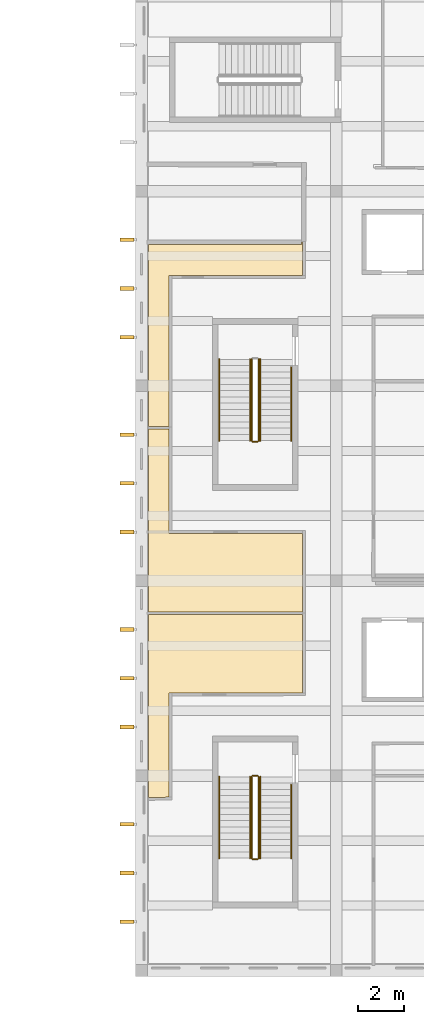
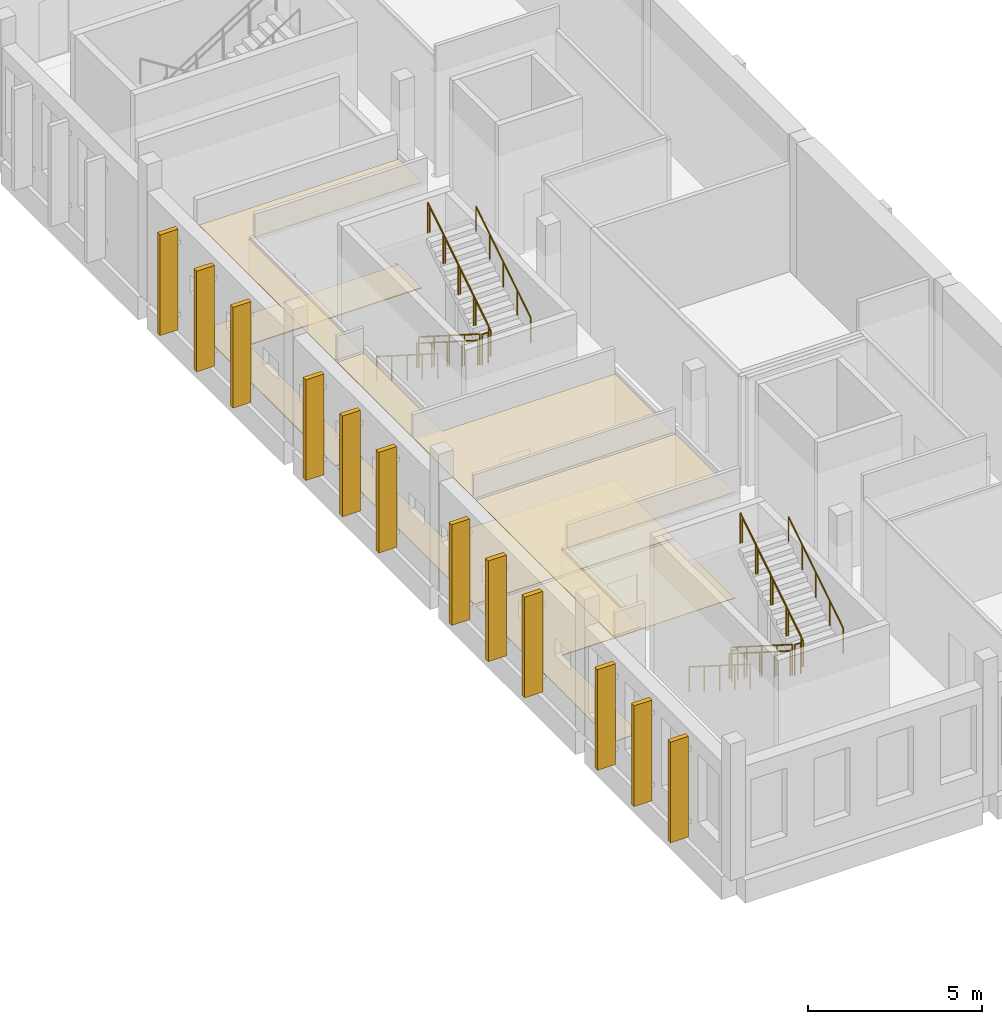
# One storey, part 24 of 37: 18 coverings, 15 railings.
"""IFC4 building model written with IfcOpenShell, lengths in metres."""

from ifc_helpers import new_model, si_unit, direction, frame, origin, origin_2d, place, context, subcontext, project, spatial, polyline, circle, outline, extrude, material, layer, layer_set, type_object, element, save


model = new_model("IFC4")

# Units and contexts
model_context = context("Model", 3, precision=1e-05, world=origin(), true_north=direction((0.0, 1.0)))
body_context = subcontext(model_context, "Body", "Model", "MODEL_VIEW")
ifc_project = project(units=[si_unit("LENGTHUNIT", "METRE"), si_unit("AREAUNIT", "SQUARE_METRE"), si_unit("VOLUMEUNIT", "CUBIC_METRE"), si_unit("PLANEANGLEUNIT", "RADIAN"), si_unit("MASSUNIT", "GRAM", prefix="KILO")], contexts=[model_context])

# Site, building, storey
site_placement = place(None, origin())
site = spatial("IfcSite", under=ifc_project, at=site_placement, CompositionType="ELEMENT")
building_placement = place(site_placement, origin())
building = spatial("IfcBuilding", under=site, at=building_placement, Name="Larchfold Concert Hall", CompositionType="ELEMENT")
storey_placement = place(building_placement, frame((0.0, 0.0, 19.199951171875)))
storey = spatial("IfcBuildingStorey", under=building, at=storey_placement, Name="L04", CompositionType="ELEMENT", Elevation=19.199951171875)

# Coverings
ifc_material_1 = material(Name="Mineral fibre ceiling tile")
ifc_layer_1 = layer(ifc_material_1, 0.02001953125)
ifc_layer_set_1 = layer_set([ifc_layer_1], Name="Mineral fibre ceiling tile")
covering_type_1 = type_object("IfcCoveringType", Name="Ceiling mineral fibre tile 20", PredefinedType="CEILING", material=ifc_layer_set_1)
covering_1_placement = place(storey_placement, frame((0.0, 0.0, 3.72021484375)))
element("IfcCovering", 1, at=covering_1_placement, inside=storey, type_object=covering_type_1, Name="Ceiling Musicians' Showers", PredefinedType="CEILING", context=body_context, shape_type="SweptSolid", body=[
    extrude(outline(polyline([(85.78857421875, 24.0), (85.78857421875, 30.5615234375), (91.60009765625, 30.5634765625), (91.534423828125, 30.5634765625), (91.535400390625, 32.0), (91.4951171875, 32.0), (91.4951171875, 31.89990234375), (84.900146484375, 31.89990234375), (84.900146484375, 24.050048828125), (85.784912109375, 24.050048828125), (85.78857421875, 24.0)])), origin(), (0.0, 0.0, 1.0), 0.02001953125),
])
ifc_material_2 = material(Name="Plasterboard ceiling lining")
ifc_layer_2 = layer(ifc_material_2, 0.030029296875)
ifc_layer_set_2 = layer_set([ifc_layer_2], Name="Plasterboard ceiling lining")
covering_type_2 = type_object("IfcCoveringType", Name="Ceiling suspended plasterboard 30", PredefinedType="CEILING", material=ifc_layer_set_2)
covering_2_placement = place(storey_placement, frame((0.0, 0.0, 3.710205078125)))
element("IfcCovering", 2, at=covering_2_placement, inside=storey, type_object=covering_type_2, Name="Ceiling Dressing Room 02", PredefinedType="CEILING", context=body_context, shape_type="SweptSolid", body=[
    extrude(outline(polyline([(85.849853515625, 8.071533203125), (85.78857421875, 8.071533203125), (85.78857421875, 12.5615234375), (91.60009765625, 12.571533203125), (91.53857421875, 12.571533203125), (91.53759765625, 16.0), (91.534912109375, 15.949951171875), (84.900146484375, 15.949951171875), (84.900146484375, 8.0625), (85.849853515625, 8.071533203125)])), origin(), (0.0, 0.0, 1.0), 0.030029296875),
])
covering_3_placement = place(storey_placement, frame((0.0, 0.0, 3.710205078125)))
element("IfcCovering", 3, at=covering_3_placement, inside=storey, type_object=covering_type_2, Name="Ceiling Dressing Room 03", PredefinedType="CEILING", context=body_context, shape_type="SweptSolid", body=[
    extrude(outline(polyline([(85.78857421875, 24.0), (85.784912109375, 23.949951171875), (84.900146484375, 23.949951171875), (84.900146484375, 16.050048828125), (91.534912109375, 16.050048828125), (91.534912109375, 16.0), (91.536376953125, 19.4345703125), (85.78857421875, 19.4384765625), (85.78857421875, 24.0)])), origin(), (0.0, 0.0, 1.0), 0.030029296875),
])
ifc_material_3 = material(Name="Ceramic tile")
ifc_layer_3 = layer(ifc_material_3, 0.030029296875)
ifc_layer_set_3 = layer_set([ifc_layer_3], Name="Ceramic tile")
covering_type_3 = type_object("IfcCoveringType", Name="Floor finish ceramic tile 30", PredefinedType="FLOORING", material=ifc_layer_set_3)
covering_4_placement = place(storey_placement, origin())
element("IfcCovering", 4, at=covering_4_placement, inside=storey, type_object=covering_type_3, Name="Floor finish Musicians' Showers", PredefinedType="FLOORING", context=body_context, shape_type="SweptSolid", body=[
    extrude(outline(polyline([(85.78857421875, 24.0), (85.78857421875, 30.5615234375), (91.60009765625, 30.5634765625), (91.534423828125, 30.5634765625), (91.535400390625, 32.0), (91.4951171875, 32.0), (91.4951171875, 31.89990234375), (84.900146484375, 31.89990234375), (84.900146484375, 24.050048828125), (85.784912109375, 24.050048828125), (85.78857421875, 24.0)])), origin(), (0.0, 0.0, 1.0), 0.030029296875),
])
ifc_material_4 = material(Name="Linoleum sheet")
ifc_layer_4 = layer(ifc_material_4, 0.02001953125)
ifc_layer_set_4 = layer_set([ifc_layer_4], Name="Linoleum sheet")
covering_type_4 = type_object("IfcCoveringType", Name="Floor finish vinyl 20", PredefinedType="FLOORING", material=ifc_layer_set_4)
covering_5_placement = place(storey_placement, origin())
element("IfcCovering", 5, at=covering_5_placement, inside=storey, type_object=covering_type_4, Name="Floor finish Dressing Room 02", PredefinedType="FLOORING", context=body_context, shape_type="SweptSolid", body=[
    extrude(outline(polyline([(85.849853515625, 8.071533203125), (85.78857421875, 8.071533203125), (85.78857421875, 12.5615234375), (91.60009765625, 12.571533203125), (91.53857421875, 12.571533203125), (91.53759765625, 16.0), (91.534912109375, 15.949951171875), (84.900146484375, 15.949951171875), (84.900146484375, 8.0625), (85.849853515625, 8.071533203125)])), origin(), (0.0, 0.0, 1.0), 0.02001953125),
])
covering_6_placement = place(storey_placement, origin())
element("IfcCovering", 6, at=covering_6_placement, inside=storey, type_object=covering_type_4, Name="Floor finish Dressing Room 03", PredefinedType="FLOORING", context=body_context, shape_type="SweptSolid", body=[
    extrude(outline(polyline([(85.78857421875, 24.0), (85.784912109375, 23.949951171875), (84.900146484375, 23.949951171875), (84.900146484375, 16.050048828125), (91.534912109375, 16.050048828125), (91.534912109375, 16.0), (91.536376953125, 19.4345703125), (85.78857421875, 19.4384765625), (85.78857421875, 24.0)])), origin(), (0.0, 0.0, 1.0), 0.02001953125),
])
ifc_material_5 = material(Name="Glulam GL30c", Category="wood")
ifc_layer_5 = layer(ifc_material_5, 0.159912109375)
ifc_layer_set_5 = layer_set([ifc_layer_5], Name="Glulam GL30c")
covering_type_5 = type_object("IfcCoveringType", Name="Glulam fin 160x600", PredefinedType="CLADDING", material=ifc_layer_set_5)
covering_7_placement = place(storey_placement, frame((0.0, 0.0, 0.199951171875)))
element("IfcCovering", 7, at=covering_7_placement, inside=storey, type_object=covering_type_5, Name="Glulam fin FN-L04-007", PredefinedType="CLADDING", context=body_context, shape_type="SweptSolid", body=[
    extrude(outline(polyline([(84.275146484375, 27.820068359375), (84.275146484375, 27.97998046875), (83.675048828125, 27.97998046875), (83.675048828125, 27.820068359375), (84.275146484375, 27.820068359375)])), origin(), (0.0, 0.0, 1.0), 3.5400390625),
])
covering_8_placement = place(storey_placement, frame((0.0, 0.0, 0.199951171875)))
element("IfcCovering", 8, at=covering_8_placement, inside=storey, type_object=covering_type_5, Name="Glulam fin FN-L04-008", PredefinedType="CLADDING", context=body_context, shape_type="SweptSolid", body=[
    extrude(outline(polyline([(84.275146484375, 29.919921875), (84.275146484375, 30.080078125), (83.675048828125, 30.080078125), (83.675048828125, 29.919921875), (84.275146484375, 29.919921875)])), origin(), (0.0, 0.0, 1.0), 3.5400390625),
])
covering_9_placement = place(storey_placement, frame((0.0, 0.0, 0.199951171875)))
element("IfcCovering", 9, at=covering_9_placement, inside=storey, type_object=covering_type_5, Name="Glulam fin FN-L04-009", PredefinedType="CLADDING", context=body_context, shape_type="SweptSolid", body=[
    extrude(outline(polyline([(84.275146484375, 32.02001953125), (84.275146484375, 32.179931640625), (83.675048828125, 32.179931640625), (83.675048828125, 32.02001953125), (84.275146484375, 32.02001953125)])), origin(), (0.0, 0.0, 1.0), 3.5400390625),
])
covering_10_placement = place(storey_placement, frame((0.0, 0.0, 0.199951171875)))
element("IfcCovering", 10, at=covering_10_placement, inside=storey, type_object=covering_type_5, Name="Glulam fin FN-L04-010", PredefinedType="CLADDING", context=body_context, shape_type="SweptSolid", body=[
    extrude(outline(polyline([(84.275146484375, 19.419921875), (84.275146484375, 19.580078125), (83.675048828125, 19.580078125), (83.675048828125, 19.419921875), (84.275146484375, 19.419921875)])), origin(), (0.0, 0.0, 1.0), 3.5400390625),
])
covering_11_placement = place(storey_placement, frame((0.0, 0.0, 0.199951171875)))
element("IfcCovering", 11, at=covering_11_placement, inside=storey, type_object=covering_type_5, Name="Glulam fin FN-L04-011", PredefinedType="CLADDING", context=body_context, shape_type="SweptSolid", body=[
    extrude(outline(polyline([(84.275146484375, 21.52001953125), (84.275146484375, 21.679931640625), (83.675048828125, 21.679931640625), (83.675048828125, 21.52001953125), (84.275146484375, 21.52001953125)])), origin(), (0.0, 0.0, 1.0), 3.5400390625),
])
covering_12_placement = place(storey_placement, frame((0.0, 0.0, 0.199951171875)))
element("IfcCovering", 12, at=covering_12_placement, inside=storey, type_object=covering_type_5, Name="Glulam fin FN-L04-012", PredefinedType="CLADDING", context=body_context, shape_type="SweptSolid", body=[
    extrude(outline(polyline([(84.275146484375, 23.6201171875), (84.275146484375, 23.780029296875), (83.675048828125, 23.780029296875), (83.675048828125, 23.6201171875), (84.275146484375, 23.6201171875)])), origin(), (0.0, 0.0, 1.0), 3.5400390625),
])
covering_13_placement = place(storey_placement, frame((0.0, 0.0, 0.199951171875)))
element("IfcCovering", 13, at=covering_13_placement, inside=storey, type_object=covering_type_5, Name="Glulam fin FN-L04-013", PredefinedType="CLADDING", context=body_context, shape_type="SweptSolid", body=[
    extrude(outline(polyline([(84.275146484375, 11.02001953125), (84.275146484375, 11.179931640625), (83.675048828125, 11.179931640625), (83.675048828125, 11.02001953125), (84.275146484375, 11.02001953125)])), origin(), (0.0, 0.0, 1.0), 3.5400390625),
])
covering_14_placement = place(storey_placement, frame((0.0, 0.0, 0.199951171875)))
element("IfcCovering", 14, at=covering_14_placement, inside=storey, type_object=covering_type_5, Name="Glulam fin FN-L04-014", PredefinedType="CLADDING", context=body_context, shape_type="SweptSolid", body=[
    extrude(outline(polyline([(84.275146484375, 13.1201171875), (84.275146484375, 13.280029296875), (83.675048828125, 13.280029296875), (83.675048828125, 13.1201171875), (84.275146484375, 13.1201171875)])), origin(), (0.0, 0.0, 1.0), 3.5400390625),
])
covering_15_placement = place(storey_placement, frame((0.0, 0.0, 0.199951171875)))
element("IfcCovering", 15, at=covering_15_placement, inside=storey, type_object=covering_type_5, Name="Glulam fin FN-L04-015", PredefinedType="CLADDING", context=body_context, shape_type="SweptSolid", body=[
    extrude(outline(polyline([(84.275146484375, 15.219970703125), (84.275146484375, 15.3798828125), (83.675048828125, 15.3798828125), (83.675048828125, 15.219970703125), (84.275146484375, 15.219970703125)])), origin(), (0.0, 0.0, 1.0), 3.5400390625),
])
covering_16_placement = place(storey_placement, frame((0.0, 0.0, 0.199951171875)))
element("IfcCovering", 16, at=covering_16_placement, inside=storey, type_object=covering_type_5, Name="Glulam fin FN-L04-016", PredefinedType="CLADDING", context=body_context, shape_type="SweptSolid", body=[
    extrude(outline(polyline([(84.275146484375, 2.6201171875), (84.275146484375, 2.780029296875), (83.675048828125, 2.780029296875), (83.675048828125, 2.6201171875), (84.275146484375, 2.6201171875)])), origin(), (0.0, 0.0, 1.0), 3.5400390625),
])
covering_17_placement = place(storey_placement, frame((0.0, 0.0, 0.199951171875)))
element("IfcCovering", 17, at=covering_17_placement, inside=storey, type_object=covering_type_5, Name="Glulam fin FN-L04-017", PredefinedType="CLADDING", context=body_context, shape_type="SweptSolid", body=[
    extrude(outline(polyline([(84.275146484375, 4.719970703125), (84.275146484375, 4.8798828125), (83.675048828125, 4.8798828125), (83.675048828125, 4.719970703125), (84.275146484375, 4.719970703125)])), origin(), (0.0, 0.0, 1.0), 3.5400390625),
])
covering_18_placement = place(storey_placement, frame((0.0, 0.0, 0.199951171875)))
element("IfcCovering", 18, at=covering_18_placement, inside=storey, type_object=covering_type_5, Name="Glulam fin FN-L04-018", PredefinedType="CLADDING", context=body_context, shape_type="SweptSolid", body=[
    extrude(outline(polyline([(84.275146484375, 6.820068359375), (84.275146484375, 6.97998046875), (83.675048828125, 6.97998046875), (83.675048828125, 6.820068359375), (84.275146484375, 6.820068359375)])), origin(), (0.0, 0.0, 1.0), 3.5400390625),
])

# Railings
ifc_material_6 = material(Name="Stainless steel balustrade", Category="steel")
railing_type_1 = type_object("IfcRailingType", Name="Stair guard 1100", PredefinedType="GUARDRAIL", material=ifc_material_6)
railing_1_placement = place(storey_placement, frame((89.349853515625, 8.949951171875, 0.17138671875)))
element("IfcRailing", 19, at=railing_1_placement, inside=storey, type_object=railing_type_1, Name="Guard GR0051", PredefinedType="GUARDRAIL", context=body_context, shape_type="SweptSolid", body=[
    extrude(circle(Radius=0.02392578125, at=origin_2d()), frame((0.0, 0.0, 1.076171875), z_axis=(0.0, -0.844192992368, 0.536039356425), x_axis=(1.0, 0.0, 0.0)), (0.0, 0.0, 1.0), 4.15771484375),
    extrude(circle(Radius=0.02099609375, at=origin_2d()), origin(), (0.0, 0.0, 1.0), 1.052001953125),
    extrude(circle(Radius=0.02099609375, at=origin_2d()), frame((0.0, -0.87744140625, 0.55712890625)), (0.0, 0.0, 1.0), 1.052001953125),
    extrude(circle(Radius=0.02099609375, at=origin_2d()), frame((0.0, -1.7548828125, 1.1142578125)), (0.0, 0.0, 1.0), 1.052001953125),
    extrude(circle(Radius=0.02099609375, at=origin_2d()), frame((0.0, -2.632568359375, 1.671630859375)), (0.0, 0.0, 1.0), 1.052001953125),
    extrude(circle(Radius=0.02099609375, at=origin_2d()), frame((0.0, -3.510009765625, 2.228759765625)), (0.0, 0.0, 1.0), 1.052001953125),
])
railing_2_placement = place(storey_placement, frame((89.39990234375, 5.389892578125, 2.400146484375)))
element("IfcRailing", 20, at=railing_2_placement, inside=storey, type_object=railing_type_1, Name="Guard GR0052", PredefinedType="GUARDRAIL", context=body_context, shape_type="SweptSolid", body=[
    extrude(circle(Radius=0.02392578125, at=origin_2d()), frame((0.0, 0.0, 1.076171875), z_axis=(1.0, 0.0, 0.0), x_axis=(0.0, 1.0, 0.0)), (0.0, 0.0, 1.0), 0.199951171875),
    extrude(circle(Radius=0.02099609375, at=origin_2d()), origin(), (0.0, 0.0, 1.0), 1.052001953125),
    extrude(circle(Radius=0.02099609375, at=origin_2d()), frame((0.199951171875, 0.0, 0.0)), (0.0, 0.0, 1.0), 1.052001953125),
])
railing_3_placement = place(storey_placement, frame((89.64990234375, 5.43994140625, 2.571533203125)))
element("IfcRailing", 21, at=railing_3_placement, inside=storey, type_object=railing_type_1, Name="Guard GR0053", PredefinedType="GUARDRAIL", context=body_context, shape_type="SweptSolid", body=[
    extrude(circle(Radius=0.02392578125, at=origin_2d()), frame((0.0, 0.0, 1.076171875), z_axis=(0.0, 0.844219563411, 0.53599750816), x_axis=(-1.0, 0.0, 0.0)), (0.0, 0.0, 1.0), 4.15771484375),
    extrude(circle(Radius=0.02099609375, at=origin_2d()), origin(), (0.0, 0.0, 1.0), 1.052001953125),
    extrude(circle(Radius=0.02099609375, at=origin_2d()), frame((0.0, 0.87744140625, 0.55712890625)), (0.0, 0.0, 1.0), 1.052001953125),
    extrude(circle(Radius=0.02099609375, at=origin_2d()), frame((0.0, 1.7548828125, 1.1142578125)), (0.0, 0.0, 1.0), 1.052001953125),
    extrude(circle(Radius=0.02099609375, at=origin_2d()), frame((0.0, 2.632568359375, 1.67138671875)), (0.0, 0.0, 1.0), 1.052001953125),
    extrude(circle(Radius=0.02099609375, at=origin_2d()), frame((0.0, 3.510009765625, 2.228515625)), (0.0, 0.0, 1.0), 1.052001953125),
])
railing_4_placement = place(storey_placement, frame((89.39990234375, 9.0, 0.0)))
element("IfcRailing", 22, at=railing_4_placement, inside=storey, type_object=railing_type_1, Name="Guard GR0054", PredefinedType="GUARDRAIL", context=body_context, shape_type="SweptSolid", body=[
    extrude(circle(Radius=0.02392578125, at=origin_2d()), frame((0.0, 0.0, 1.076171875), z_axis=(1.0, 0.0, 0.0), x_axis=(0.0, 1.0, 0.0)), (0.0, 0.0, 1.0), 0.199951171875),
    extrude(circle(Radius=0.02099609375, at=origin_2d()), origin(), (0.0, 0.0, 1.0), 1.052001953125),
    extrude(circle(Radius=0.02099609375, at=origin_2d()), frame((0.199951171875, 0.0, 0.0)), (0.0, 0.0, 1.0), 1.052001953125),
])
railing_5_placement = place(storey_placement, frame((89.349853515625, 26.949951171875, 0.17138671875)))
element("IfcRailing", 23, at=railing_5_placement, inside=storey, type_object=railing_type_1, Name="Guard GR0055", PredefinedType="GUARDRAIL", context=body_context, shape_type="SweptSolid", body=[
    extrude(circle(Radius=0.02392578125, at=origin_2d()), frame((0.0, 0.0, 1.076171875), z_axis=(0.0, -0.844192992368, 0.536039356425), x_axis=(1.0, 0.0, 0.0)), (0.0, 0.0, 1.0), 4.15771484375),
    extrude(circle(Radius=0.02099609375, at=origin_2d()), origin(), (0.0, 0.0, 1.0), 1.052001953125),
    extrude(circle(Radius=0.02099609375, at=origin_2d()), frame((0.0, -0.87744140625, 0.55712890625)), (0.0, 0.0, 1.0), 1.052001953125),
    extrude(circle(Radius=0.02099609375, at=origin_2d()), frame((0.0, -1.7548828125, 1.1142578125)), (0.0, 0.0, 1.0), 1.052001953125),
    extrude(circle(Radius=0.02099609375, at=origin_2d()), frame((0.0, -2.632568359375, 1.671630859375)), (0.0, 0.0, 1.0), 1.052001953125),
    extrude(circle(Radius=0.02099609375, at=origin_2d()), frame((0.0, -3.510009765625, 2.228759765625)), (0.0, 0.0, 1.0), 1.052001953125),
])
railing_6_placement = place(storey_placement, frame((89.39990234375, 23.389892578125, 2.400146484375)))
element("IfcRailing", 24, at=railing_6_placement, inside=storey, type_object=railing_type_1, Name="Guard GR0056", PredefinedType="GUARDRAIL", context=body_context, shape_type="SweptSolid", body=[
    extrude(circle(Radius=0.02392578125, at=origin_2d()), frame((0.0, 0.0, 1.076171875), z_axis=(1.0, 0.0, 0.0), x_axis=(0.0, 1.0, 0.0)), (0.0, 0.0, 1.0), 0.199951171875),
    extrude(circle(Radius=0.02099609375, at=origin_2d()), origin(), (0.0, 0.0, 1.0), 1.052001953125),
    extrude(circle(Radius=0.02099609375, at=origin_2d()), frame((0.199951171875, 0.0, 0.0)), (0.0, 0.0, 1.0), 1.052001953125),
])
railing_7_placement = place(storey_placement, frame((89.64990234375, 23.43994140625, 2.571533203125)))
element("IfcRailing", 25, at=railing_7_placement, inside=storey, type_object=railing_type_1, Name="Guard GR0057", PredefinedType="GUARDRAIL", context=body_context, shape_type="SweptSolid", body=[
    extrude(circle(Radius=0.02392578125, at=origin_2d()), frame((0.0, 0.0, 1.076171875), z_axis=(0.0, 0.844219563411, 0.53599750816), x_axis=(-1.0, 0.0, 0.0)), (0.0, 0.0, 1.0), 4.15771484375),
    extrude(circle(Radius=0.02099609375, at=origin_2d()), origin(), (0.0, 0.0, 1.0), 1.052001953125),
    extrude(circle(Radius=0.02099609375, at=origin_2d()), frame((0.0, 0.87744140625, 0.55712890625)), (0.0, 0.0, 1.0), 1.052001953125),
    extrude(circle(Radius=0.02099609375, at=origin_2d()), frame((0.0, 1.7548828125, 1.1142578125)), (0.0, 0.0, 1.0), 1.052001953125),
    extrude(circle(Radius=0.02099609375, at=origin_2d()), frame((0.0, 2.632568359375, 1.67138671875)), (0.0, 0.0, 1.0), 1.052001953125),
    extrude(circle(Radius=0.02099609375, at=origin_2d()), frame((0.0, 3.510009765625, 2.228515625)), (0.0, 0.0, 1.0), 1.052001953125),
])
ifc_material_7 = material(Name="Stainless steel handrail", Category="steel")
railing_type_2 = type_object("IfcRailingType", Name="Stair handrail 900", PredefinedType="HANDRAIL", material=ifc_material_7)
railing_8_placement = place(storey_placement, frame((87.949951171875, 8.949951171875, 0.17138671875)))
element("IfcRailing", 26, at=railing_8_placement, inside=storey, type_object=railing_type_2, Name="Handrail HR0049", PredefinedType="HANDRAIL", context=body_context, shape_type="SweptSolid", body=[
    extrude(circle(Radius=0.02392578125, at=origin_2d()), frame((0.0, 0.0, 0.8759765625), z_axis=(0.0, -0.844192992368, 0.536039356425), x_axis=(1.0, 0.0, 0.0)), (0.0, 0.0, 1.0), 4.15771484375),
    extrude(circle(Radius=0.02099609375, at=origin_2d()), origin(), (0.0, 0.0, 1.0), 0.851806640625),
    extrude(circle(Radius=0.02099609375, at=origin_2d()), frame((0.0, -0.87744140625, 0.55712890625)), (0.0, 0.0, 1.0), 0.851806640625),
    extrude(circle(Radius=0.02099609375, at=origin_2d()), frame((0.0, -1.7548828125, 1.1142578125)), (0.0, 0.0, 1.0), 0.851806640625),
    extrude(circle(Radius=0.02099609375, at=origin_2d()), frame((0.0, -2.632568359375, 1.671630859375)), (0.0, 0.0, 1.0), 0.851806640625),
    extrude(circle(Radius=0.02099609375, at=origin_2d()), frame((0.0, -3.510009765625, 2.228759765625)), (0.0, 0.0, 1.0), 0.851806640625),
])
railing_9_placement = place(storey_placement, frame((91.0498046875, 5.43994140625, 2.571533203125)))
element("IfcRailing", 27, at=railing_9_placement, inside=storey, type_object=railing_type_2, Name="Handrail HR0050", PredefinedType="HANDRAIL", context=body_context, shape_type="SweptSolid", body=[
    extrude(circle(Radius=0.02392578125, at=origin_2d()), frame((0.0, 0.0, 0.8759765625), z_axis=(0.0, 0.844224994989, 0.535988953092), x_axis=(-1.0, 0.0, 0.0)), (0.0, 0.0, 1.0), 3.7431640625),
    extrude(circle(Radius=0.02099609375, at=origin_2d()), origin(), (0.0, 0.0, 1.0), 0.851806640625),
    extrude(circle(Radius=0.02099609375, at=origin_2d()), frame((0.0, 0.7900390625, 0.50146484375)), (0.0, 0.0, 1.0), 0.851806640625),
    extrude(circle(Radius=0.02099609375, at=origin_2d()), frame((0.0, 1.580078125, 1.003173828125)), (0.0, 0.0, 1.0), 0.851806640625),
    extrude(circle(Radius=0.02099609375, at=origin_2d()), frame((0.0, 2.3701171875, 1.5048828125)), (0.0, 0.0, 1.0), 0.851806640625),
    extrude(circle(Radius=0.02099609375, at=origin_2d()), frame((0.0, 3.16015625, 2.00634765625)), (0.0, 0.0, 1.0), 0.851806640625),
])
railing_10_placement = place(storey_placement, frame((89.27978515625, 8.949951171875, 0.17138671875)))
element("IfcRailing", 28, at=railing_10_placement, inside=storey, type_object=railing_type_2, Name="Handrail HR0051", PredefinedType="HANDRAIL", context=body_context, shape_type="SweptSolid", body=[
    extrude(circle(Radius=0.02392578125, at=origin_2d()), frame((0.0, 0.0, 0.8759765625), z_axis=(0.0, -0.844192992368, 0.536039356425), x_axis=(1.0, 0.0, 0.0)), (0.0, 0.0, 1.0), 4.15771484375),
    extrude(circle(Radius=0.02099609375, at=origin_2d()), origin(), (0.0, 0.0, 1.0), 0.851806640625),
    extrude(circle(Radius=0.02099609375, at=origin_2d()), frame((0.0, -0.87744140625, 0.55712890625)), (0.0, 0.0, 1.0), 0.851806640625),
    extrude(circle(Radius=0.02099609375, at=origin_2d()), frame((0.0, -1.7548828125, 1.1142578125)), (0.0, 0.0, 1.0), 0.851806640625),
    extrude(circle(Radius=0.02099609375, at=origin_2d()), frame((0.0, -2.632568359375, 1.671630859375)), (0.0, 0.0, 1.0), 0.851806640625),
    extrude(circle(Radius=0.02099609375, at=origin_2d()), frame((0.0, -3.510009765625, 2.228759765625)), (0.0, 0.0, 1.0), 0.851806640625),
])
railing_11_placement = place(storey_placement, frame((89.719970703125, 5.43994140625, 2.571533203125)))
element("IfcRailing", 29, at=railing_11_placement, inside=storey, type_object=railing_type_2, Name="Handrail HR0052", PredefinedType="HANDRAIL", context=body_context, shape_type="SweptSolid", body=[
    extrude(circle(Radius=0.02392578125, at=origin_2d()), frame((0.0, 0.0, 0.8759765625), z_axis=(0.0, 0.844219563411, 0.53599750816), x_axis=(-1.0, 0.0, 0.0)), (0.0, 0.0, 1.0), 4.15771484375),
    extrude(circle(Radius=0.02099609375, at=origin_2d()), origin(), (0.0, 0.0, 1.0), 0.851806640625),
    extrude(circle(Radius=0.02099609375, at=origin_2d()), frame((0.0, 0.87744140625, 0.55712890625)), (0.0, 0.0, 1.0), 0.851806640625),
    extrude(circle(Radius=0.02099609375, at=origin_2d()), frame((0.0, 1.7548828125, 1.1142578125)), (0.0, 0.0, 1.0), 0.851806640625),
    extrude(circle(Radius=0.02099609375, at=origin_2d()), frame((0.0, 2.632568359375, 1.67138671875)), (0.0, 0.0, 1.0), 0.851806640625),
    extrude(circle(Radius=0.02099609375, at=origin_2d()), frame((0.0, 3.510009765625, 2.228515625)), (0.0, 0.0, 1.0), 0.851806640625),
])
railing_12_placement = place(storey_placement, frame((87.949951171875, 26.949951171875, 0.17138671875)))
element("IfcRailing", 30, at=railing_12_placement, inside=storey, type_object=railing_type_2, Name="Handrail HR0053", PredefinedType="HANDRAIL", context=body_context, shape_type="SweptSolid", body=[
    extrude(circle(Radius=0.02392578125, at=origin_2d()), frame((0.0, 0.0, 0.8759765625), z_axis=(0.0, -0.844192992368, 0.536039356425), x_axis=(1.0, 0.0, 0.0)), (0.0, 0.0, 1.0), 4.15771484375),
    extrude(circle(Radius=0.02099609375, at=origin_2d()), origin(), (0.0, 0.0, 1.0), 0.851806640625),
    extrude(circle(Radius=0.02099609375, at=origin_2d()), frame((0.0, -0.87744140625, 0.55712890625)), (0.0, 0.0, 1.0), 0.851806640625),
    extrude(circle(Radius=0.02099609375, at=origin_2d()), frame((0.0, -1.7548828125, 1.1142578125)), (0.0, 0.0, 1.0), 0.851806640625),
    extrude(circle(Radius=0.02099609375, at=origin_2d()), frame((0.0, -2.632568359375, 1.671630859375)), (0.0, 0.0, 1.0), 0.851806640625),
    extrude(circle(Radius=0.02099609375, at=origin_2d()), frame((0.0, -3.510009765625, 2.228759765625)), (0.0, 0.0, 1.0), 0.851806640625),
])
railing_13_placement = place(storey_placement, frame((91.0498046875, 23.43994140625, 2.571533203125)))
element("IfcRailing", 31, at=railing_13_placement, inside=storey, type_object=railing_type_2, Name="Handrail HR0054", PredefinedType="HANDRAIL", context=body_context, shape_type="SweptSolid", body=[
    extrude(circle(Radius=0.02392578125, at=origin_2d()), frame((0.0, 0.0, 0.8759765625), z_axis=(0.0, 0.844224994989, 0.535988953092), x_axis=(-1.0, 0.0, 0.0)), (0.0, 0.0, 1.0), 3.7431640625),
    extrude(circle(Radius=0.02099609375, at=origin_2d()), origin(), (0.0, 0.0, 1.0), 0.851806640625),
    extrude(circle(Radius=0.02099609375, at=origin_2d()), frame((0.0, 0.7900390625, 0.50146484375)), (0.0, 0.0, 1.0), 0.851806640625),
    extrude(circle(Radius=0.02099609375, at=origin_2d()), frame((0.0, 1.580078125, 1.003173828125)), (0.0, 0.0, 1.0), 0.851806640625),
    extrude(circle(Radius=0.02099609375, at=origin_2d()), frame((0.0, 2.3701171875, 1.5048828125)), (0.0, 0.0, 1.0), 0.851806640625),
    extrude(circle(Radius=0.02099609375, at=origin_2d()), frame((0.0, 3.16015625, 2.00634765625)), (0.0, 0.0, 1.0), 0.851806640625),
])
railing_14_placement = place(storey_placement, frame((89.27978515625, 26.949951171875, 0.17138671875)))
element("IfcRailing", 32, at=railing_14_placement, inside=storey, type_object=railing_type_2, Name="Handrail HR0055", PredefinedType="HANDRAIL", context=body_context, shape_type="SweptSolid", body=[
    extrude(circle(Radius=0.02392578125, at=origin_2d()), frame((0.0, 0.0, 0.8759765625), z_axis=(0.0, -0.844192992368, 0.536039356425), x_axis=(1.0, 0.0, 0.0)), (0.0, 0.0, 1.0), 4.15771484375),
    extrude(circle(Radius=0.02099609375, at=origin_2d()), origin(), (0.0, 0.0, 1.0), 0.851806640625),
    extrude(circle(Radius=0.02099609375, at=origin_2d()), frame((0.0, -0.87744140625, 0.55712890625)), (0.0, 0.0, 1.0), 0.851806640625),
    extrude(circle(Radius=0.02099609375, at=origin_2d()), frame((0.0, -1.7548828125, 1.1142578125)), (0.0, 0.0, 1.0), 0.851806640625),
    extrude(circle(Radius=0.02099609375, at=origin_2d()), frame((0.0, -2.632568359375, 1.671630859375)), (0.0, 0.0, 1.0), 0.851806640625),
    extrude(circle(Radius=0.02099609375, at=origin_2d()), frame((0.0, -3.510009765625, 2.228759765625)), (0.0, 0.0, 1.0), 0.851806640625),
])
railing_15_placement = place(storey_placement, frame((89.719970703125, 23.43994140625, 2.571533203125)))
element("IfcRailing", 33, at=railing_15_placement, inside=storey, type_object=railing_type_2, Name="Handrail HR0056", PredefinedType="HANDRAIL", context=body_context, shape_type="SweptSolid", body=[
    extrude(circle(Radius=0.02392578125, at=origin_2d()), frame((0.0, 0.0, 0.8759765625), z_axis=(0.0, 0.844219563411, 0.53599750816), x_axis=(-1.0, 0.0, 0.0)), (0.0, 0.0, 1.0), 4.15771484375),
    extrude(circle(Radius=0.02099609375, at=origin_2d()), origin(), (0.0, 0.0, 1.0), 0.851806640625),
    extrude(circle(Radius=0.02099609375, at=origin_2d()), frame((0.0, 0.87744140625, 0.55712890625)), (0.0, 0.0, 1.0), 0.851806640625),
    extrude(circle(Radius=0.02099609375, at=origin_2d()), frame((0.0, 1.7548828125, 1.1142578125)), (0.0, 0.0, 1.0), 0.851806640625),
    extrude(circle(Radius=0.02099609375, at=origin_2d()), frame((0.0, 2.632568359375, 1.67138671875)), (0.0, 0.0, 1.0), 0.851806640625),
    extrude(circle(Radius=0.02099609375, at=origin_2d()), frame((0.0, 3.510009765625, 2.228515625)), (0.0, 0.0, 1.0), 0.851806640625),
])

save(model, "model.ifc")
